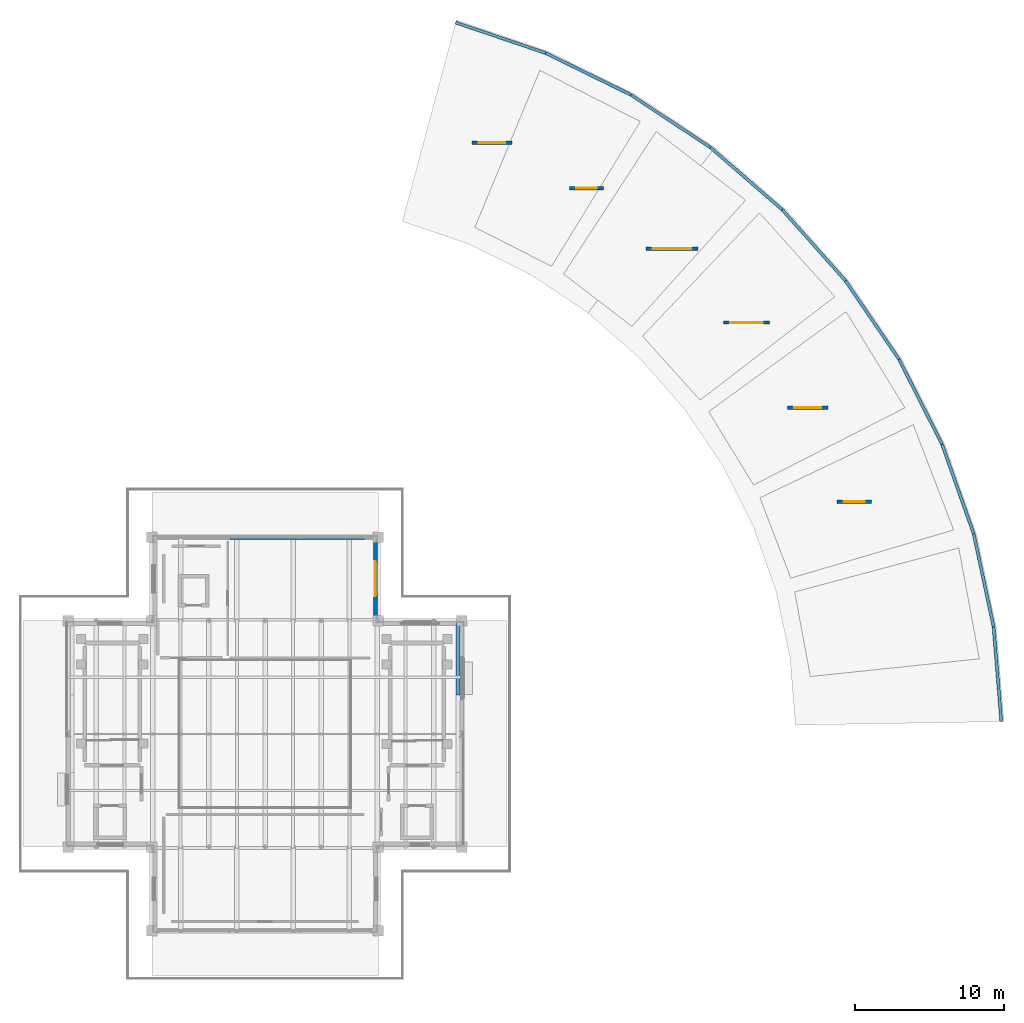
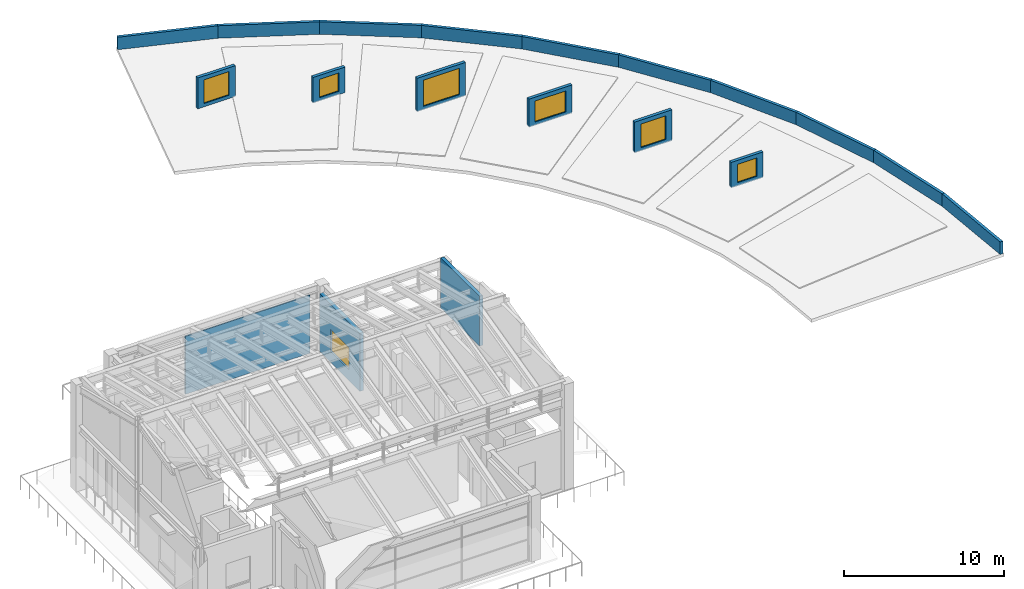
# One storey, part 8 of 11: 19 walls, 7 windows, 7 openings.
"""IFC4 building model written with IfcOpenShell, lengths in metres."""

from ifc_helpers import new_model, si_unit, direction, frame, frame_2d, origin, place, context, subcontext, project, spatial, rectangle, extrude, material, layer, layer_set, type_object, element, fill, save


model = new_model("IFC4")

# Units and contexts
model_context = context("Model", 3, precision=1e-05, world=origin(), true_north=direction((0.0, 1.0)))
body_context = subcontext(model_context, "Body", "Model", "MODEL_VIEW")
ifc_project = project(units=[si_unit("LENGTHUNIT", "METRE"), si_unit("AREAUNIT", "SQUARE_METRE"), si_unit("VOLUMEUNIT", "CUBIC_METRE"), si_unit("PLANEANGLEUNIT", "RADIAN"), si_unit("MASSUNIT", "GRAM", prefix="KILO")], contexts=[model_context])

# Site, building, storey
site_placement = place(None, origin())
site = spatial("IfcSite", under=ifc_project, at=site_placement, CompositionType="ELEMENT")
building_placement = place(site_placement, origin())
building = spatial("IfcBuilding", under=site, at=building_placement, Name="Saryqyr Civic Hall", CompositionType="ELEMENT")
storey_placement = place(building_placement, frame((0.0, 0.0, 29.39990234375)))
storey = spatial("IfcBuildingStorey", under=building, at=storey_placement, Name="L07", CompositionType="ELEMENT", Elevation=29.39990234375)

# Wall, opening, window
ifc_material_1 = material(Name="Precast concrete C40/50", Category="concrete")
ifc_layer_1 = layer(ifc_material_1, 0.219970703125, Name="Precast concrete C40/50")
ifc_layer_set_1 = layer_set([ifc_layer_1], Name="Precast concrete C40/50")
wall_type_1 = type_object("IfcWallType", Name="ENV-WAL-EXT-220", PredefinedType="STANDARD", material=ifc_layer_set_1)
wall_1_placement = place(storey_placement, frame((95.392578125, 99.576416015625, 0.0), z_axis=(0.0, 0.0, 1.0), x_axis=(1.0, 0.0, 0.0)))
wall_1 = element("IfcWall", 1, at=wall_1_placement, inside=storey, type_object=wall_type_1, Name="Roof lantern skylight upstand 1", PredefinedType="STANDARD", context=body_context, shape_type="SweptSolid", body=[
    extrude(rectangle(XDim=2.300048828125, YDim=0.219970703125, at=frame_2d((1.14990234375, 0.0))), origin(), (0.0, 0.0, 1.0), 1.9501953125),
])
opening_1_placement = place(wall_1_placement, frame((0.449951171875, 0.0, 0.25)))
opening_1 = element("IfcOpeningElement", 2, at=opening_1_placement, cuts=wall_1, Name="Opening SK-01", PredefinedType="OPENING", context=body_context, shape_type="SweptSolid", body=[
    extrude(rectangle(XDim=1.39990234375, YDim=1.39990234375, at=frame_2d((0.699951171875, 0.699951171875))), frame((0.0, 0.119873046875, 0.0), z_axis=(0.0, -1.0, 0.0), x_axis=(1.0, 0.0, 0.0)), (0.0, 0.0, 1.0), 0.239990234375),
])
ifc_material_2 = material(Name="Anodised aluminium and laminated safety glass", Category="aluminium")
window_type_1 = type_object("IfcWindowType", Name="ENV-SKY-S01", PartitioningType="SINGLE_PANEL", PredefinedType="SKYLIGHT", material=ifc_material_2)
window_1_placement = place(opening_1_placement, origin())
window_1 = element("IfcWindow", 3, at=window_1_placement, inside=storey, type_object=window_type_1, Name="Roof smoke-vent and daylight skylight 1", OverallHeight=1.39990234375, OverallWidth=1.39990234375, PartitioningType="SINGLE_PANEL", PredefinedType="SKYLIGHT", context=body_context, shape_type="SweptSolid", body=[
    extrude(rectangle(XDim=1.39990234375, YDim=1.39990234375, at=frame_2d((0.699951171875, 0.699951171875))), frame((0.0, 0.030029296875, 0.0), z_axis=(0.0, -1.0, 0.0), x_axis=(1.0, 0.0, 0.0)), (0.0, 0.0, 1.0), 0.06005859375),
])
fill(opening_1, window_1)

wall_2_placement = place(storey_placement, frame((92.07958984375, 105.88916015625, 0.0), z_axis=(0.0, 0.0, 1.0), x_axis=(1.0, 0.0, 0.0)))
wall_2 = element("IfcWall", 4, at=wall_2_placement, inside=storey, type_object=wall_type_1, Name="Roof lantern skylight upstand 2", PredefinedType="STANDARD", context=body_context, shape_type="SweptSolid", body=[
    extrude(rectangle(XDim=2.699951171875, YDim=0.219970703125, at=frame_2d((1.35009765625, 0.0))), origin(), (0.0, 0.0, 1.0), 2.35009765625),
])
opening_2_placement = place(wall_2_placement, frame((0.449951171875, 0.0, 0.25)))
opening_2 = element("IfcOpeningElement", 5, at=opening_2_placement, cuts=wall_2, Name="Opening SK-02", PredefinedType="OPENING", context=body_context, shape_type="SweptSolid", body=[
    extrude(rectangle(XDim=1.800048828125, YDim=1.800048828125, at=frame_2d((0.89990234375, 0.89990234375))), frame((0.0, 0.119873046875, 0.0), z_axis=(0.0, -1.0, 0.0), x_axis=(1.0, 0.0, 0.0)), (0.0, 0.0, 1.0), 0.239990234375),
])
window_type_2 = type_object("IfcWindowType", Name="ENV-SKY-S02", PartitioningType="SINGLE_PANEL", PredefinedType="SKYLIGHT", material=ifc_material_2)
window_2_placement = place(opening_2_placement, origin())
window_2 = element("IfcWindow", 6, at=window_2_placement, inside=storey, type_object=window_type_2, Name="Roof smoke-vent and daylight skylight 2", OverallHeight=1.800048828125, OverallWidth=1.800048828125, PartitioningType="SINGLE_PANEL", PredefinedType="SKYLIGHT", context=body_context, shape_type="SweptSolid", body=[
    extrude(rectangle(XDim=1.800048828125, YDim=1.800048828125, at=frame_2d((0.89990234375, 0.89990234375))), frame((0.0, 0.030029296875, 0.0), z_axis=(0.0, -1.0, 0.0), x_axis=(1.0, 0.0, 0.0)), (0.0, 0.0, 1.0), 0.06005859375),
])
fill(opening_2, window_2)

wall_3_placement = place(storey_placement, frame((87.767333984375, 111.6015625, 0.0), z_axis=(0.0, 0.0, 1.0), x_axis=(1.0, 0.0, 0.0)))
wall_3 = element("IfcWall", 7, at=wall_3_placement, inside=storey, type_object=wall_type_1, Name="Roof lantern skylight upstand 3", PredefinedType="STANDARD", context=body_context, shape_type="SweptSolid", body=[
    extrude(rectangle(XDim=3.099853515625, YDim=0.219970703125, at=frame_2d((1.5498046875, 0.0))), origin(), (0.0, 0.0, 1.0), 2.150146484375),
])
opening_3_placement = place(wall_3_placement, frame((0.449951171875, 0.0, 0.25)))
opening_3 = element("IfcOpeningElement", 8, at=opening_3_placement, cuts=wall_3, Name="Opening SK-03", PredefinedType="OPENING", context=body_context, shape_type="SweptSolid", body=[
    extrude(rectangle(XDim=2.199951171875, YDim=1.60009765625, at=frame_2d((1.10009765625, 0.800048828125))), frame((0.0, 0.119873046875, 0.0), z_axis=(0.0, -1.0, 0.0), x_axis=(1.0, 0.0, 0.0)), (0.0, 0.0, 1.0), 0.239990234375),
])
window_type_3 = type_object("IfcWindowType", Name="ENV-SKY-S03", PartitioningType="SINGLE_PANEL", PredefinedType="SKYLIGHT", material=ifc_material_2)
window_3_placement = place(opening_3_placement, origin())
window_3 = element("IfcWindow", 9, at=window_3_placement, inside=storey, type_object=window_type_3, Name="Roof smoke-vent and daylight skylight 3", OverallHeight=1.60009765625, OverallWidth=2.199951171875, PartitioningType="SINGLE_PANEL", PredefinedType="SKYLIGHT", context=body_context, shape_type="SweptSolid", body=[
    extrude(rectangle(XDim=2.199951171875, YDim=1.60009765625, at=frame_2d((1.10009765625, 0.800048828125))), frame((0.0, 0.030029296875, 0.0), z_axis=(0.0, -1.0, 0.0), x_axis=(1.0, 0.0, 0.0)), (0.0, 0.0, 1.0), 0.06005859375),
])
fill(opening_3, window_3)

wall_4_placement = place(storey_placement, frame((82.568603515625, 116.556884765625, 0.0), z_axis=(0.0, 0.0, 1.0), x_axis=(1.0, 0.0, 0.0)))
wall_4 = element("IfcWall", 10, at=wall_4_placement, inside=storey, type_object=wall_type_1, Name="Roof lantern skylight upstand 4", PredefinedType="STANDARD", context=body_context, shape_type="SweptSolid", body=[
    extrude(rectangle(XDim=3.5, YDim=0.219970703125, at=frame_2d((1.75, 0.0))), origin(), (0.0, 0.0, 1.0), 2.550048828125),
])
opening_4_placement = place(wall_4_placement, frame((0.449951171875, 0.0, 0.25)))
opening_4 = element("IfcOpeningElement", 11, at=opening_4_placement, cuts=wall_4, Name="Opening SK-04", PredefinedType="OPENING", context=body_context, shape_type="SweptSolid", body=[
    extrude(rectangle(XDim=2.60009765625, YDim=2.0, at=frame_2d((1.300048828125, 1.0))), frame((0.0, 0.119873046875, 0.0), z_axis=(0.0, -1.0, 0.0), x_axis=(1.0, 0.0, 0.0)), (0.0, 0.0, 1.0), 0.239990234375),
])
window_type_4 = type_object("IfcWindowType", Name="ENV-SKY-S04", PartitioningType="SINGLE_PANEL", PredefinedType="SKYLIGHT", material=ifc_material_2)
window_4_placement = place(opening_4_placement, origin())
window_4 = element("IfcWindow", 12, at=window_4_placement, inside=storey, type_object=window_type_4, Name="Roof smoke-vent and daylight skylight 4", OverallHeight=2.0, OverallWidth=2.60009765625, PartitioningType="SINGLE_PANEL", PredefinedType="SKYLIGHT", context=body_context, shape_type="SweptSolid", body=[
    extrude(rectangle(XDim=2.60009765625, YDim=2.0, at=frame_2d((1.300048828125, 1.0))), frame((0.0, 0.030029296875, 0.0), z_axis=(0.0, -1.0, 0.0), x_axis=(1.0, 0.0, 0.0)), (0.0, 0.0, 1.0), 0.06005859375),
])
fill(opening_4, window_4)

wall_5_placement = place(storey_placement, frame((77.42041015625, 120.619140625, 0.0), z_axis=(0.0, 0.0, 1.0), x_axis=(1.0, 0.0, 0.0)))
wall_5 = element("IfcWall", 13, at=wall_5_placement, inside=storey, type_object=wall_type_1, Name="Roof lantern skylight upstand 5", PredefinedType="STANDARD", context=body_context, shape_type="SweptSolid", body=[
    extrude(rectangle(XDim=2.300048828125, YDim=0.219970703125, at=frame_2d((1.14990234375, 0.0))), origin(), (0.0, 0.0, 1.0), 1.9501953125),
])
opening_5_placement = place(wall_5_placement, frame((0.449951171875, 0.0, 0.25)))
opening_5 = element("IfcOpeningElement", 14, at=opening_5_placement, cuts=wall_5, Name="Opening SK-01", PredefinedType="OPENING", context=body_context, shape_type="SweptSolid", body=[
    extrude(rectangle(XDim=1.39990234375, YDim=1.39990234375, at=frame_2d((0.699951171875, 0.699951171875))), frame((0.0, 0.119873046875, 0.0), z_axis=(0.0, -1.0, 0.0), x_axis=(1.0, 0.0, 0.0)), (0.0, 0.0, 1.0), 0.239990234375),
])
window_5_placement = place(opening_5_placement, origin())
window_5 = element("IfcWindow", 15, at=window_5_placement, inside=storey, type_object=window_type_1, Name="Roof smoke-vent and daylight skylight 5", OverallHeight=1.39990234375, OverallWidth=1.39990234375, PartitioningType="SINGLE_PANEL", PredefinedType="SKYLIGHT", context=body_context, shape_type="SweptSolid", body=[
    extrude(rectangle(XDim=1.39990234375, YDim=1.39990234375, at=frame_2d((0.699951171875, 0.699951171875))), frame((0.0, 0.030029296875, 0.0), z_axis=(0.0, -1.0, 0.0), x_axis=(1.0, 0.0, 0.0)), (0.0, 0.0, 1.0), 0.06005859375),
])
fill(opening_5, window_5)

wall_6_placement = place(storey_placement, frame((70.880615234375, 123.67724609375, 0.0), z_axis=(0.0, 0.0, 1.0), x_axis=(1.0, 0.0, 0.0)))
wall_6 = element("IfcWall", 16, at=wall_6_placement, inside=storey, type_object=wall_type_1, Name="Roof lantern skylight upstand 6", PredefinedType="STANDARD", context=body_context, shape_type="SweptSolid", body=[
    extrude(rectangle(XDim=2.699951171875, YDim=0.219970703125, at=frame_2d((1.35009765625, 0.0))), origin(), (0.0, 0.0, 1.0), 2.35009765625),
])
opening_6_placement = place(wall_6_placement, frame((0.449951171875, 0.0, 0.25)))
opening_6 = element("IfcOpeningElement", 17, at=opening_6_placement, cuts=wall_6, Name="Opening SK-02", PredefinedType="OPENING", context=body_context, shape_type="SweptSolid", body=[
    extrude(rectangle(XDim=1.800048828125, YDim=1.800048828125, at=frame_2d((0.89990234375, 0.89990234375))), frame((0.0, 0.119873046875, 0.0), z_axis=(0.0, -1.0, 0.0), x_axis=(1.0, 0.0, 0.0)), (0.0, 0.0, 1.0), 0.239990234375),
])
window_6_placement = place(opening_6_placement, origin())
window_6 = element("IfcWindow", 18, at=window_6_placement, inside=storey, type_object=window_type_2, Name="Roof smoke-vent and daylight skylight 6", OverallHeight=1.800048828125, OverallWidth=1.800048828125, PartitioningType="SINGLE_PANEL", PredefinedType="SKYLIGHT", context=body_context, shape_type="SweptSolid", body=[
    extrude(rectangle(XDim=1.800048828125, YDim=1.800048828125, at=frame_2d((0.89990234375, 0.89990234375))), frame((0.0, 0.030029296875, 0.0), z_axis=(0.0, -1.0, 0.0), x_axis=(1.0, 0.0, 0.0)), (0.0, 0.0, 1.0), 0.06005859375),
])
fill(opening_6, window_6)

# Wall
ifc_layer_2 = layer(ifc_material_1, 0.239990234375, Name="Precast concrete C40/50")
ifc_layer_set_2 = layer_set([ifc_layer_2], Name="Precast concrete C40/50")
wall_type_2 = type_object("IfcWallType", Name="ENV-WAL-EXT-240", PredefinedType="STANDARD", material=ifc_layer_set_2)
wall_7_placement = place(storey_placement, frame((69.949951171875, 91.449951171875, 4.7001953125), z_axis=(0.0, 0.0, 1.0), x_axis=(0.0, -1.0, 0.0)))
element("IfcWall", 19, at=wall_7_placement, inside=storey, type_object=wall_type_2, Name="Council Chamber crown gable infill wall E-3", PredefinedType="STANDARD", context=body_context, shape_type="SweptSolid", body=[
    extrude(rectangle(XDim=4.849853515625, YDim=0.239990234375, at=frame_2d((2.4248046875, 0.0))), origin(), (0.0, 0.0, 1.0), 3.7998046875),
])

# Wall, opening, window
ifc_layer_3 = layer(ifc_material_1, 0.27001953125, Name="Precast concrete C40/50")
ifc_layer_set_3 = layer_set([ifc_layer_3], Name="Precast concrete C40/50")
wall_type_3 = type_object("IfcWallType", Name="ENV-WAL-EXT-270", PredefinedType="STANDARD", material=ifc_layer_set_3)
wall_8_placement = place(storey_placement, frame((64.39990234375, 96.9150390625, 0.0), z_axis=(0.0, 0.0, 1.0), x_axis=(0.0, -1.0, 0.0)))
wall_8 = element("IfcWall", 20, at=wall_8_placement, inside=storey, type_object=wall_type_3, Name="Exterior wall V1-EW-L07-06", PredefinedType="STANDARD", context=body_context, shape_type="SweptSolid", body=[
    extrude(rectangle(XDim=5.030029296875, YDim=0.27001953125, at=frame_2d((2.51513671875, 0.0))), origin(), (0.0, 0.0, 1.0), 4.425048828125),
])
opening_7_placement = place(wall_8_placement, frame((1.340087890625, 0.0, 0.85009765625)))
opening_7 = element("IfcOpeningElement", 21, at=opening_7_placement, cuts=wall_8, Name="Opening W-22", PredefinedType="OPENING", context=body_context, shape_type="SweptSolid", body=[
    extrude(rectangle(XDim=2.35009765625, YDim=1.64990234375, at=frame_2d((1.175048828125, 0.824951171875))), frame((0.0, 0.14501953125, 0.0), z_axis=(0.0, -1.0, 0.0), x_axis=(1.0, 0.0, 0.0)), (0.0, 0.0, 1.0), 0.2900390625),
])
ifc_material_3 = material(Name="Anodised aluminium and triple low-E glass", Category="aluminium")
window_type_5 = type_object("IfcWindowType", Name="ENV-WIN-W22", PartitioningType="SINGLE_PANEL", PredefinedType="WINDOW", material=ifc_material_3)
window_7_placement = place(opening_7_placement, origin())
window_7 = element("IfcWindow", 22, at=window_7_placement, inside=storey, type_object=window_type_5, Name="Chamber cluster window L07-06", OverallHeight=1.64990234375, OverallWidth=2.35009765625, PartitioningType="SINGLE_PANEL", PredefinedType="WINDOW", context=body_context, shape_type="SweptSolid", body=[
    extrude(rectangle(XDim=2.35009765625, YDim=1.64990234375, at=frame_2d((1.175048828125, 0.824951171875))), frame((0.0, 0.030029296875, 0.0), z_axis=(0.0, -1.0, 0.0), x_axis=(1.0, 0.0, 0.0)), (0.0, 0.0, 1.0), 0.06005859375),
])
fill(opening_7, window_7)

# Walls
ifc_layer_4 = layer(ifc_material_1, 0.199951171875, Name="Precast concrete C40/50")
ifc_layer_set_4 = layer_set([ifc_layer_4], Name="Precast concrete C40/50")
wall_type_4 = type_object("IfcWallType", Name="ENV-WAL-PAR-200", PredefinedType="PARAPET", material=ifc_layer_set_4)
wall_9_placement = place(storey_placement, frame((105.8955078125, 91.180908203125, 0.0), z_axis=(0.0, 0.0, 1.0), x_axis=(0.081092144557, -0.996706608833, 0.0)))
element("IfcWall", 23, at=wall_9_placement, inside=storey, type_object=wall_type_4, Name="Roof parapet V6-00", PredefinedType="PARAPET", context=body_context, shape_type="SweptSolid", body=[
    extrude(rectangle(XDim=6.382568359375, YDim=0.199951171875, at=frame_2d((3.19140625, 0.0))), origin(), (0.0, 0.0, 1.0), 0.9501953125),
])
for number, where, z_axis, x_axis, name in (
    (24, (104.562255859375, 97.4228515625, 0.0), (0.0, 0.0, 1.0), (0.208883829131, -0.977940461341, 0.0), "Roof parapet V6-01"),
    (25, (102.435546875, 103.44091796875, 0.0), (0.0, 0.0, 1.0), (0.333194233682, -0.942858209192, 0.0), "Roof parapet V6-02"),
):
    element("IfcWall", number, at=place(storey_placement, frame(where, z_axis=z_axis, x_axis=x_axis)), inside=storey, type_object=wall_type_4, Name=name, PredefinedType="PARAPET", context=body_context, shape_type="SweptSolid", body=[
        extrude(rectangle(XDim=6.3828125, YDim=0.199951171875, at=frame_2d((3.19140625, 0.0))), origin(), (0.0, 0.0, 1.0), 0.9501953125),
    ])
for number, where, z_axis, x_axis, name in (
    (26, (99.551025390625, 109.134521484375, 0.0), (0.0, 0.0, 1.0), (0.451935167244, -0.892050785891, 0.0), "Roof parapet V6-03"),
    (27, (95.956787109375, 114.408935546875, 0.0), (0.0, 0.0, 1.0), (0.563127911007, -0.826369745238, 0.0), "Roof parapet V6-04"),
):
    element("IfcWall", number, at=place(storey_placement, frame(where, z_axis=z_axis, x_axis=x_axis)), inside=storey, type_object=wall_type_4, Name=name, PredefinedType="PARAPET", context=body_context, shape_type="SweptSolid", body=[
        extrude(rectangle(XDim=6.382568359375, YDim=0.199951171875, at=frame_2d((3.19140625, 0.0))), origin(), (0.0, 0.0, 1.0), 0.9501953125),
    ])
wall_10_placement = place(storey_placement, frame((91.712646484375, 119.17626953125, 0.0), z_axis=(0.0, 0.0, 1.0), x_axis=(0.664933434964, -0.746902622212, 0.0)))
element("IfcWall", 28, at=wall_10_placement, inside=storey, type_object=wall_type_4, Name="Roof parapet V6-05", PredefinedType="PARAPET", context=body_context, shape_type="SweptSolid", body=[
    extrude(rectangle(XDim=6.3828125, YDim=0.199951171875, at=frame_2d((3.19140625, 0.0))), origin(), (0.0, 0.0, 1.0), 0.9501953125),
])
wall_11_placement = place(storey_placement, frame((86.8896484375, 123.356689453125, 0.0), z_axis=(0.0, 0.0, 1.0), x_axis=(0.755651218726, -0.654974225171, 0.0)))
element("IfcWall", 29, at=wall_11_placement, inside=storey, type_object=wall_type_4, Name="Roof parapet V6-06", PredefinedType="PARAPET", context=body_context, shape_type="SweptSolid", body=[
    extrude(rectangle(XDim=6.382568359375, YDim=0.199951171875, at=frame_2d((3.19140625, 0.0))), origin(), (0.0, 0.0, 1.0), 0.9501953125),
])
for number, where, z_axis, x_axis, name in (
    (30, (81.56787109375, 126.880615234375, 0.0), (0.0, 0.0, 1.0), (0.833776330091, -0.552102374004, 0.0), "Roof parapet V6-07"),
    (31, (75.83642578125, 129.689453125, 0.0), (0.0, 0.0, 1.0), (0.897963699625, -0.440069533319, 0.0), "Roof parapet V6-08"),
):
    element("IfcWall", number, at=place(storey_placement, frame(where, z_axis=z_axis, x_axis=x_axis)), inside=storey, type_object=wall_type_4, Name=name, PredefinedType="PARAPET", context=body_context, shape_type="SweptSolid", body=[
        extrude(rectangle(XDim=6.3828125, YDim=0.199951171875, at=frame_2d((3.19140625, 0.0))), origin(), (0.0, 0.0, 1.0), 0.9501953125),
    ])
wall_12_placement = place(storey_placement, frame((69.790771484375, 131.736083984375, 0.0), z_axis=(0.0, 0.0, 1.0), x_axis=(0.947196489244, -0.320653724077, 0.0)))
element("IfcWall", 32, at=wall_12_placement, inside=storey, type_object=wall_type_4, Name="Roof parapet V6-09", PredefinedType="PARAPET", context=body_context, shape_type="SweptSolid", body=[
    extrude(rectangle(XDim=6.382568359375, YDim=0.199951171875, at=frame_2d((3.19140625, 0.0))), origin(), (0.0, 0.0, 1.0), 0.9501953125),
])
ifc_material_4 = material(Name="Lightweight demountable partition", Category="gypsum")
ifc_layer_5 = layer(ifc_material_4, 0.094970703125, Name="Lightweight demountable partition")
ifc_layer_set_5 = layer_set([ifc_layer_5], Name="Lightweight demountable partition")
wall_type_5 = type_object("IfcWallType", Name="INT-WAL-PRT-095", PredefinedType="PARTITIONING", material=ifc_layer_set_5)
wall_13_placement = place(storey_placement, frame((54.679931640625, 97.10009765625, 0.0), z_axis=(0.0, 0.0, 1.0), x_axis=(1.0, 0.0, 0.0)))
element("IfcWall", 33, at=wall_13_placement, inside=storey, type_object=wall_type_5, Name="Interior partition PRT-SP-V1-L07-R02-W3", PredefinedType="PARTITIONING", context=body_context, shape_type="SweptSolid", body=[
    extrude(rectangle(XDim=8.969970703125, YDim=0.094970703125, at=frame_2d((4.48486328125, 0.0))), origin(), (0.0, 0.0, 1.0), 4.425048828125),
])

save(model, "model.ifc")
